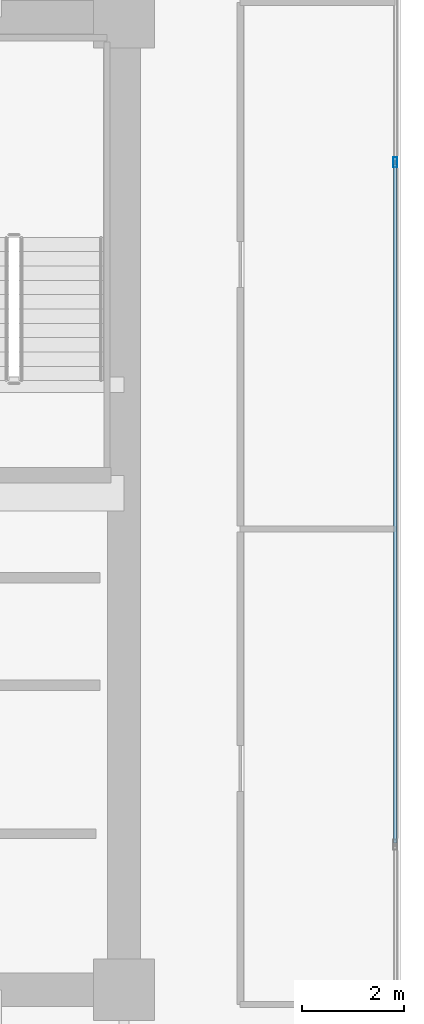
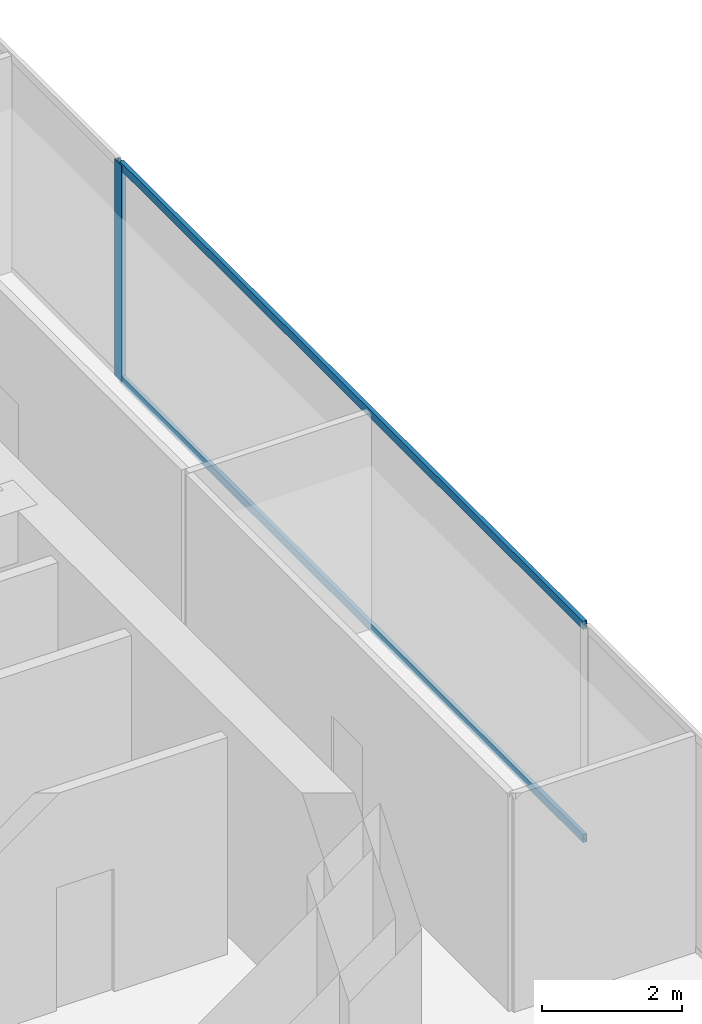
# One storey, part 22 of 33: 3 members, 1 element without a shape of its own.
"""IFC4 building model written with IfcOpenShell, lengths in metres."""

from ifc_helpers import new_model, si_unit, direction, frame, origin, origin_2d, place, context, subcontext, project, spatial, hollow_rectangle, extrude, source, transform, mapped, material, layer, layer_set, material_profile, profile_set, type_object, type_shapes, element, aggregate, save


model = new_model("IFC4")

# Units and contexts
model_context = context("Model", 3, precision=1e-05, world=origin(), true_north=direction((0.0, 1.0)))
body_context = subcontext(model_context, "Body", "Model", "MODEL_VIEW")
ifc_project = project(units=[si_unit("LENGTHUNIT", "METRE"), si_unit("AREAUNIT", "SQUARE_METRE"), si_unit("VOLUMEUNIT", "CUBIC_METRE"), si_unit("PLANEANGLEUNIT", "RADIAN"), si_unit("MASSUNIT", "GRAM", prefix="KILO")], contexts=[model_context])

# Site, building, storey
site_placement = place(None, origin())
site = spatial("IfcSite", under=ifc_project, at=site_placement, CompositionType="ELEMENT")
building_placement = place(site_placement, origin())
building = spatial("IfcBuilding", under=site, at=building_placement, Name="Haelvirn Gate Laboratories", CompositionType="ELEMENT")
storey_placement = place(building_placement, frame((0.0, 0.0, 137.89990234375)))
storey = spatial("IfcBuildingStorey", under=building, at=storey_placement, Name="L33", CompositionType="ELEMENT", Elevation=137.89990234375)

# Curtain wall, members
ifc_material_1 = material(Name="Anodised bronze unitised aluminium & triple low-E glass", Category="aluminium")
ifc_layer = layer(ifc_material_1, 0.179931640625, Name="CW-SYS-3")
ifc_layer_set = layer_set([ifc_layer], Name="Anodised bronze unitised aluminium & triple low-E glass")
curtain_wall_type = type_object("IfcCurtainWallType", Name="CW-SYS-3", PredefinedType="NOTDEFINED", material=ifc_layer_set)
curtain_wall_placement = place(storey_placement, origin())
curtain_wall = element("IfcCurtainWall", 1, at=curtain_wall_placement, inside=storey, type_object=curtain_wall_type, Name="L33 Unitised Curtain Wall CW-L33-P0-E07", PredefinedType="NOTDEFINED")
ifc_material_2 = material(Name="Extruded aluminium 6063-T6 (anodised bronze)", Category="aluminium")
ifc_material_profile_1 = material_profile(ifc_material_2, hollow_rectangle(XDim=0.06494140625, YDim=0.139892578125, WallThickness=0.00390625, at=origin_2d()), Name="CWT-140x65x4")
ifc_profile_set_1 = profile_set([ifc_material_profile_1], Name="Extruded aluminium 6063-T6 (anodised bronze)")
member_type_1 = type_object("IfcMemberType", Name="CWT-T140", PredefinedType="USERDEFINED", material=ifc_profile_set_1)
shared_shape_1 = source(origin(), body_context, "Body", "SweptSolid", [
    extrude(hollow_rectangle(XDim=0.06494140625, YDim=0.139892578125, WallThickness=0.00390625, at=origin_2d()), origin(), (0.0, 0.0, 1.0), 13.25830078125),
])
type_shapes(member_type_1, [shared_shape_1])
member_1_placement = place(storey_placement, frame((72.699951171875, 17.6708984375, 0.03271484375), z_axis=(0.0, 1.0, 0.0), x_axis=(-1.0, 0.0, 0.0)))
member_1 = element("IfcMember", 2, at=member_1_placement, type_object=member_type_1, Name="CW3 transom 2.1", ObjectType="TRANSOM", PredefinedType="USERDEFINED", context=body_context, shape_type="MappedRepresentation", body=[
    mapped(shared_shape_1, transform((0.0, 0.0, 0.0), scale=1.0)),
])
member_2_placement = place(storey_placement, frame((72.699951171875, 17.6708984375, 3.757568359375), z_axis=(0.0, 1.0, 0.0), x_axis=(-1.0, 0.0, 0.0)))
member_2 = element("IfcMember", 3, at=member_2_placement, type_object=member_type_1, Name="CW3 transom 2.2", ObjectType="TRANSOM", PredefinedType="USERDEFINED", context=body_context, shape_type="MappedRepresentation", body=[
    mapped(shared_shape_1, transform((0.0, 0.0, 0.0), scale=1.0)),
])
ifc_material_profile_2 = material_profile(ifc_material_2, hollow_rectangle(XDim=0.074951171875, YDim=0.199951171875, WallThickness=0.0048828125, at=origin_2d()), Name="CWM-200x75x5")
ifc_profile_set_2 = profile_set([ifc_material_profile_2], Name="Extruded aluminium 6063-T6 (anodised bronze)")
member_type_2 = type_object("IfcMemberType", Name="CWM-T200", PredefinedType="MULLION", material=ifc_profile_set_2)
shared_shape_2 = source(origin(), body_context, "Body", "SweptSolid", [
    extrude(hollow_rectangle(XDim=0.074951171875, YDim=0.199951171875, WallThickness=0.0048828125, at=origin_2d()), origin(), (0.0, 0.0, 1.0), 3.7900390625),
])
type_shapes(member_type_2, [shared_shape_2])
member_3_placement = place(storey_placement, frame((72.699951171875, 30.966552734375, 0.0), z_axis=(0.0, 0.0, 1.0), x_axis=(-1.0, 0.0, 0.0)))
member_3 = element("IfcMember", 4, at=member_3_placement, type_object=member_type_2, Name="CW3 mullion 3", PredefinedType="MULLION", context=body_context, shape_type="MappedRepresentation", body=[
    mapped(shared_shape_2, transform((0.0, 0.0, 0.0), scale=1.0)),
])
aggregate(curtain_wall, [member_3, member_1, member_2])

save(model, "model.ifc")
